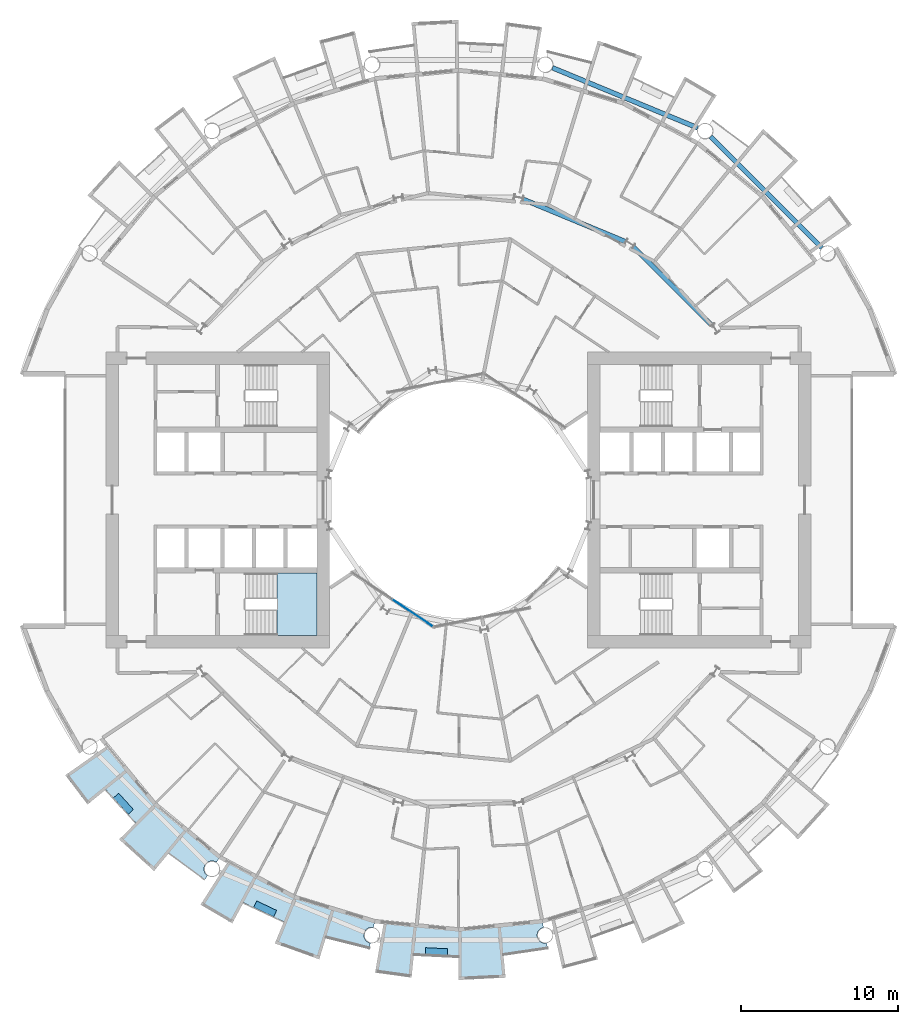
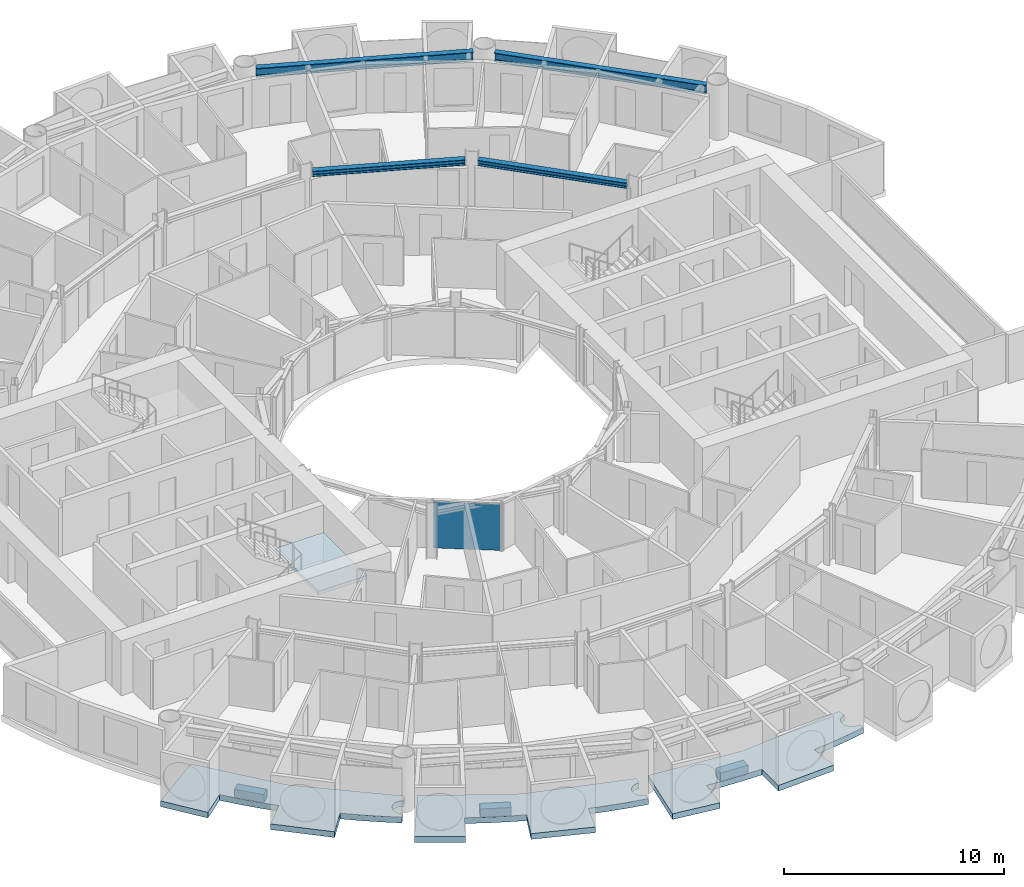
# One storey, part 9 of 26: 7 slabs, 4 beams, 1 plate, 2 elements without a shape of their own.
"""IFC4 building model written with IfcOpenShell, lengths in metres."""

from ifc_helpers import new_model, si_unit, direction, frame, origin, origin_2d, place, context, subcontext, project, spatial, polyline, rectangle, i_section, outline, extrude, material, layer, layer_set, material_profile, profile_set, type_object, element, aggregate, save


model = new_model("IFC4")

# Units and contexts
model_context = context("Model", 3, precision=1e-05, world=origin(), true_north=direction((0.0, 1.0)))
body_context = subcontext(model_context, "Body", "Model", "MODEL_VIEW")
ifc_project = project(units=[si_unit("LENGTHUNIT", "METRE"), si_unit("AREAUNIT", "SQUARE_METRE"), si_unit("VOLUMEUNIT", "CUBIC_METRE"), si_unit("PLANEANGLEUNIT", "RADIAN"), si_unit("MASSUNIT", "GRAM", prefix="KILO")], contexts=[model_context])

# Site, building, storey
site_placement = place(None, origin())
site = spatial("IfcSite", under=ifc_project, at=site_placement, CompositionType="ELEMENT")
building_placement = place(site_placement, origin())
building = spatial("IfcBuilding", under=site, at=building_placement, Name="Maasbend Ring Residences", CompositionType="ELEMENT")
storey_placement = place(building_placement, frame((0.0, 0.0, 25.85009765625)))
storey = spatial("IfcBuildingStorey", under=building, at=storey_placement, Name="L06", CompositionType="ELEMENT", Elevation=25.85009765625)

# Beams
ifc_material_1 = material(Name="Steel S355J2", Category="steel")
ifc_material_profile_1 = material_profile(ifc_material_1, i_section(OverallWidth=0.300048828125, OverallDepth=0.300048828125, WebThickness=0.010986328125, FlangeThickness=0.01904296875, FilletRadius=0.027099609375, at=origin_2d()), Name="HEB 300")
ifc_profile_set_1 = profile_set([ifc_material_profile_1], Name="Steel S355J2")
beam_type_1 = type_object("IfcBeamType", Name="Corridor ring beam HEB 300", PredefinedType="BEAM", material=ifc_profile_set_1)
beam_1_placement = place(storey_placement, frame((16.0732421875, 11.11279296875, 2.5498046875), z_axis=(-0.707106781187, 0.707106781187, 0.0), x_axis=(-0.707106781187, -0.707106781187, 0.0)))
element("IfcBeam", 1, at=beam_1_placement, inside=storey, type_object=beam_type_1, Name="Corridor ring beam", PredefinedType="BEAM", context=body_context, shape_type="SweptSolid", body=[
    extrude(i_section(OverallWidth=0.300048828125, OverallDepth=0.300048828125, WebThickness=0.010986328125, FlangeThickness=0.01904296875, FilletRadius=0.027099609375, at=origin_2d()), origin(), (0.0, 0.0, 1.0), 7.01513671875),
])
beam_2_placement = place(storey_placement, frame((10.59716796875, 16.417724609375, 2.5498046875), z_axis=(-0.923886196809, 0.38266734293, 0.0), x_axis=(-0.38266734293, -0.923886196809, 0.0)))
element("IfcBeam", 2, at=beam_2_placement, inside=storey, type_object=beam_type_1, Name="Corridor ring beam", PredefinedType="BEAM", context=body_context, shape_type="SweptSolid", body=[
    extrude(i_section(OverallWidth=0.300048828125, OverallDepth=0.300048828125, WebThickness=0.010986328125, FlangeThickness=0.01904296875, FilletRadius=0.027099609375, at=origin_2d()), origin(), (0.0, 0.0, 1.0), 7.015380859375),
])
ifc_material_2 = material(Name="Steel S355J2", Category="steel")
ifc_material_profile_2 = material_profile(ifc_material_2, i_section(OverallWidth=0.300048828125, OverallDepth=0.5, WebThickness=0.014404296875, FlangeThickness=0.028076171875, FilletRadius=0.027099609375, at=origin_2d()), Name="HEB 500")
ifc_profile_set_2 = profile_set([ifc_material_profile_2], Name="Steel S355J2")
beam_type_2 = type_object("IfcBeamType", Name="Spandrel ring beam HEB 500", PredefinedType="SPANDREL", material=ifc_profile_set_2)
beam_3_placement = place(storey_placement, frame((23.088134765625, 16.0263671875, 2.449951171875), z_axis=(-0.707106781187, 0.707106781187, 0.0), x_axis=(-0.707106781187, -0.707106781187, 0.0)))
element("IfcBeam", 3, at=beam_3_placement, inside=storey, type_object=beam_type_2, Name="Spandrel ring beam", PredefinedType="SPANDREL", context=body_context, shape_type="SweptSolid", body=[
    extrude(i_section(OverallWidth=0.300048828125, OverallDepth=0.5, WebThickness=0.014404296875, FlangeThickness=0.028076171875, FilletRadius=0.027099609375, at=origin_2d()), origin(), (0.0, 0.0, 1.0), 9.98681640625),
])
beam_4_placement = place(storey_placement, frame((15.19775390625, 23.641845703125, 2.449951171875), z_axis=(-0.923886337442, 0.382667003395, 0.0), x_axis=(-0.382667003395, -0.923886337442, 0.0)))
element("IfcBeam", 4, at=beam_4_placement, inside=storey, type_object=beam_type_2, Name="Spandrel ring beam", PredefinedType="SPANDREL", context=body_context, shape_type="SweptSolid", body=[
    extrude(i_section(OverallWidth=0.300048828125, OverallDepth=0.5, WebThickness=0.014404296875, FlangeThickness=0.028076171875, FilletRadius=0.027099609375, at=origin_2d()), origin(), (0.0, 0.0, 1.0), 9.9873046875),
])

# Stair, slab
ifc_material_3 = material(Name="Concrete C40/50", Category="concrete")
stair_type = type_object("IfcStairType", Name="CORE STAIR 18 RISERS", PredefinedType="HALF_TURN_STAIR", material=ifc_material_3)
stair_placement = place(storey_placement, origin())
stair = element("IfcStair", 5, at=stair_placement, inside=storey, type_object=stair_type, Name="L06 Exit stair ST-W1", PredefinedType="HALF_TURN_STAIR")
ifc_material_4 = material(Name="Concrete C40/50", Category="concrete")
ifc_layer_1 = layer(ifc_material_4, 0.199951171875)
ifc_layer_set_1 = layer_set([ifc_layer_1], Name="Concrete C40/50")
slab_type_1 = type_object("IfcSlabType", Name="CORE STAIR LANDING 200", PredefinedType="LANDING", material=ifc_layer_set_1)
slab_1_placement = place(storey_placement, frame((0.0, 0.0, 1.324951171875)))
slab_1 = element("IfcSlab", 6, at=slab_1_placement, type_object=slab_type_1, Name="ST-W1 landing 1", PredefinedType="LANDING", context=body_context, shape_type="SweptSolid", body=[
    extrude(outline(polyline([(-11.550048828125, -8.60009765625), (-9.0, -8.60009765625), (-9.0, -4.64990234375), (-11.550048828125, -4.64990234375), (-11.550048828125, -8.60009765625)])), origin(), (0.0, 0.0, 1.0), 0.199951171875),
])
aggregate(stair, [slab_1])

# Curtain wall, plate
ifc_material_5 = material(Name="Aluminium and clear glass", Category="aluminium")
ifc_layer_2 = layer(ifc_material_5, 0.179931640625)
ifc_layer_set_2 = layer_set([ifc_layer_2], Name="CW-W")
curtain_wall_type = type_object("IfcCurtainWallType", Name="CW-W", PredefinedType="NOTDEFINED", material=ifc_layer_set_2)
curtain_wall_placement = place(storey_placement, origin())
curtain_wall = element("IfcCurtainWall", 7, at=curtain_wall_placement, inside=storey, type_object=curtain_wall_type, Name="Well curtain wall S1", PredefinedType="NOTDEFINED")
ifc_material_6 = material(Name="Glass clear laminated", Category="glass")
ifc_layer_3 = layer(ifc_material_6, 0.031982421875)
ifc_layer_set_3 = layer_set([ifc_layer_3], Name="CWP-W")
plate_type = type_object("IfcPlateType", Name="CWP-W", PredefinedType="CURTAIN_PANEL", material=ifc_layer_set_3)
plate_placement = place(storey_placement, frame((-2.922119140625, -7.17578125, -0.000244140625), z_axis=(0.0, 0.0, 1.0), x_axis=(0.831469612303, -0.55557023302, 0.0)))
plate = element("IfcPlate", 8, at=plate_placement, type_object=plate_type, Name="Glass panel well face", PredefinedType="CURTAIN_PANEL", context=body_context, shape_type="SweptSolid", body=[
    extrude(rectangle(XDim=3.053955078125, YDim=0.031982421875, at=origin_2d()), origin(), (0.0, 0.0, 1.0), 2.580078125),
])
aggregate(curtain_wall, [plate])

# Slabs
ifc_material_7 = material(Name="Planting with climbing greenery")
ifc_layer_4 = layer(ifc_material_7, 0.449951171875)
ifc_layer_set_4 = layer_set([ifc_layer_4], Name="PLANTER-LG")
slab_type_2 = type_object("IfcSlabType", Name="PLANTER-LG", PredefinedType="USERDEFINED", material=ifc_layer_set_4)
slab_2_placement = place(storey_placement, frame((0.0, 0.0, -0.030029296875)))
element("IfcSlab", 9, at=slab_2_placement, inside=storey, type_object=slab_type_2, Name="Planter with climbing greenery 1", ObjectType="PLANTER", PredefinedType="USERDEFINED", context=body_context, shape_type="SweptSolid", body=[
    extrude(outline(polyline([(-21.931884765625, -18.93310546875), (-20.991943359375, -19.969970703125), (-20.657958984375, -19.66796875), (-21.597900390625, -18.631103515625), (-21.931884765625, -18.93310546875)])), origin(), (0.0, 0.0, 1.0), 0.449951171875),
])
slab_3_placement = place(storey_placement, frame((0.0, 0.0, -0.030029296875)))
element("IfcSlab", 10, at=slab_3_placement, inside=storey, type_object=slab_type_2, Name="Planter with climbing greenery 2", ObjectType="PLANTER", PredefinedType="USERDEFINED", context=body_context, shape_type="SweptSolid", body=[
    extrude(outline(polyline([(-13.01708984375, -25.885009765625), (-11.7509765625, -26.48291015625), (-11.55908203125, -26.076904296875), (-12.824951171875, -25.47802734375), (-13.01708984375, -25.885009765625)])), origin(), (0.0, 0.0, 1.0), 0.449951171875),
])
slab_4_placement = place(storey_placement, frame((0.0, 0.0, -0.030029296875)))
element("IfcSlab", 11, at=slab_4_placement, inside=storey, type_object=slab_type_2, Name="Planter with climbing greenery 3", ObjectType="PLANTER", PredefinedType="USERDEFINED", context=body_context, shape_type="SweptSolid", body=[
    extrude(outline(polyline([(-2.1201171875, -28.89599609375), (-0.721923828125, -28.965087890625), (-0.699951171875, -28.514892578125), (-2.097900390625, -28.446044921875), (-2.1201171875, -28.89599609375)])), origin(), (0.0, 0.0, 1.0), 0.449951171875),
])
ifc_material_8 = material(Name="Concrete C40/50", Category="concrete")
ifc_layer_5 = layer(ifc_material_8, 0.199951171875)
ifc_layer_set_5 = layer_set([ifc_layer_5], Name="Concrete C40/50")
slab_type_3 = type_object("IfcSlabType", Name="SL-LOGGIA", PredefinedType="FLOOR", material=ifc_layer_set_5)
slab_5_placement = place(storey_placement, frame((0.0, 0.0, -0.35009765625)))
element("IfcSlab", 12, at=slab_5_placement, inside=storey, type_object=slab_type_3, Name="Loggia floor 2", PredefinedType="FLOOR", context=body_context, shape_type="SweptSolid", body=[
    extrude(outline(polyline([(-12.806884765625, -23.9609375), (-10.447021484375, -25.221923828125), (-10.447021484375, -25.221923828125), (-10.447021484375, -25.221923828125), (-7.886962890625, -25.9990234375), (-5.325927734375, -26.77490234375), (-5.325927734375, -26.77490234375), (-5.325927734375, -26.77490234375), (-5.402099609375, -27.159912109375), (-5.4150390625, -27.157958984375), (-5.427001953125, -27.156005859375), (-5.43896484375, -27.154052734375), (-5.451904296875, -27.153076171875), (-5.464111328125, -27.15087890625), (-5.47705078125, -27.15087890625), (-5.489013671875, -27.14990234375), (-5.501953125, -27.14990234375), (-5.513916015625, -27.14990234375), (-5.52587890625, -27.15087890625), (-5.5390625, -27.15087890625), (-5.551025390625, -27.153076171875), (-5.56396484375, -27.154052734375), (-5.575927734375, -27.156005859375), (-5.587890625, -27.157958984375), (-5.60107421875, -27.159912109375), (-5.613037109375, -27.162109375), (-5.625, -27.1650390625), (-5.636962890625, -27.1689453125), (-5.64892578125, -27.172119140625), (-5.660888671875, -27.176025390625), (-5.673095703125, -27.179931640625), (-5.68408203125, -27.18408203125), (-5.696044921875, -27.18896484375), (-5.70703125, -27.194091796875), (-5.718994140625, -27.198974609375), (-5.72998046875, -27.2041015625), (-5.740966796875, -27.2099609375), (-5.751953125, -27.216064453125), (-5.762939453125, -27.221923828125), (-5.77294921875, -27.22900390625), (-5.783935546875, -27.236083984375), (-5.7939453125, -27.242919921875), (-5.803955078125, -27.25), (-5.81396484375, -27.258056640625), (-5.823974609375, -27.264892578125), (-5.8330078125, -27.27294921875), (-5.843017578125, -27.281982421875), (-5.85205078125, -27.2900390625), (-5.861083984375, -27.299072265625), (-5.868896484375, -27.30810546875), (-5.8779296875, -27.31689453125), (-5.885986328125, -27.325927734375), (-5.89404296875, -27.3359375), (-5.902099609375, -27.345947265625), (-5.909912109375, -27.35498046875), (-5.9169921875, -27.365966796875), (-5.924072265625, -27.3759765625), (-5.930908203125, -27.385986328125), (-5.93701171875, -27.39697265625), (-5.944091796875, -27.407958984375), (-5.949951171875, -27.4189453125), (-5.955078125, -27.429931640625), (-5.9609375, -27.44091796875), (-5.966064453125, -27.451904296875), (-5.970947265625, -27.464111328125), (-5.97509765625, -27.47509765625), (-5.97998046875, -27.487060546875), (-5.98388671875, -27.4990234375), (-5.988037109375, -27.510986328125), (-5.990966796875, -27.52294921875), (-5.993896484375, -27.534912109375), (-5.9970703125, -27.547119140625), (-6.0, -27.55908203125), (-6.001953125, -27.571044921875), (-6.00390625, -27.583984375), (-6.006103515625, -27.595947265625), (-6.007080078125, -27.60791015625), (-6.008056640625, -27.62109375), (-6.009033203125, -27.633056640625), (-6.009033203125, -27.64599609375), (-6.010009765625, -27.657958984375), (-6.009033203125, -27.6708984375), (-6.009033203125, -27.68310546875), (-6.008056640625, -27.695068359375), (-6.007080078125, -27.7080078125), (-6.006103515625, -27.719970703125), (-6.00390625, -27.73291015625), (-6.001953125, -27.7451171875), (-6.0, -27.757080078125), (-5.9970703125, -27.76904296875), (-5.993896484375, -27.781982421875), (-5.990966796875, -27.7939453125), (-5.988037109375, -27.805908203125), (-5.98388671875, -27.81689453125), (-5.97998046875, -27.8291015625), (-5.97509765625, -27.841064453125), (-5.970947265625, -27.85302734375), (-5.966064453125, -27.864013671875), (-5.9609375, -27.875), (-5.955078125, -27.886962890625), (-5.949951171875, -27.89794921875), (-5.944091796875, -27.907958984375), (-5.93701171875, -27.9189453125), (-5.930908203125, -27.929931640625), (-5.924072265625, -27.93994140625), (-5.9169921875, -27.950927734375), (-5.909912109375, -27.9609375), (-5.902099609375, -27.970947265625), (-5.89404296875, -27.97998046875), (-5.885986328125, -27.989990234375), (-5.8779296875, -27.9990234375), (-5.868896484375, -28.008056640625), (-5.861083984375, -28.01708984375), (-5.85205078125, -28.02587890625), (-5.843017578125, -28.034912109375), (-5.8330078125, -28.04296875), (-5.823974609375, -28.051025390625), (-5.81396484375, -28.05908203125), (-5.803955078125, -28.06591796875), (-5.7939453125, -28.072998046875), (-5.783935546875, -28.080078125), (-5.77294921875, -28.0869140625), (-5.762939453125, -28.093994140625), (-5.751953125, -28.10009765625), (-5.740966796875, -28.10595703125), (-5.72998046875, -28.112060546875), (-5.718994140625, -28.116943359375), (-5.70703125, -28.123046875), (-5.696044921875, -28.126953125), (-5.68408203125, -28.132080078125), (-5.673095703125, -28.135986328125), (-5.660888671875, -28.139892578125), (-5.64892578125, -28.14404296875), (-5.636962890625, -28.14794921875), (-5.625, -28.15087890625), (-5.613037109375, -28.154052734375), (-5.60107421875, -28.156005859375), (-5.657958984375, -28.443115234375), (-5.657958984375, -28.443115234375), (-5.657958984375, -28.443115234375), (-6.5849609375, -28.241943359375), (-6.5849609375, -28.241943359375), (-7.506103515625, -28.011962890625), (-7.506103515625, -28.011962890625), (-8.41796875, -27.7509765625), (-8.41796875, -27.7509765625), (-8.41796875, -27.7509765625), (-8.41796875, -27.7509765625), (-8.41796875, -27.7509765625), (-8.41796875, -27.7509765625), (-8.41796875, -27.7509765625), (-8.41796875, -27.7509765625), (-8.41796875, -27.7509765625), (-8.41796875, -27.7509765625), (-8.41796875, -27.751953125), (-8.41796875, -27.751953125), (-8.41796875, -27.751953125), (-8.41796875, -27.751953125), (-8.41796875, -27.751953125), (-8.41796875, -27.751953125), (-8.41796875, -27.751953125), (-8.85400390625, -29.18701171875), (-8.85400390625, -29.18701171875), (-8.85400390625, -29.18701171875), (-11.672119140625, -28.177978515625), (-11.672119140625, -28.177978515625), (-11.672119140625, -28.177978515625), (-11.097900390625, -26.79296875), (-11.097900390625, -26.79296875), (-11.097900390625, -26.79296875), (-11.097900390625, -26.79296875), (-11.097900390625, -26.79296875), (-11.097900390625, -26.79296875), (-11.097900390625, -26.79296875), (-11.097900390625, -26.79296875), (-11.097900390625, -26.79296875), (-11.097900390625, -26.79296875), (-11.097900390625, -26.7919921875), (-11.097900390625, -26.7919921875), (-11.097900390625, -26.7919921875), (-11.097900390625, -26.7919921875), (-11.097900390625, -26.7919921875), (-11.097900390625, -26.7919921875), (-11.097900390625, -26.7919921875), (-11.968994140625, -26.4150390625), (-11.968994140625, -26.4150390625), (-12.825927734375, -26.009033203125), (-12.825927734375, -26.009033203125), (-13.669921875, -25.575927734375), (-13.669921875, -25.575927734375), (-13.669921875, -25.575927734375), (-13.669921875, -25.575927734375), (-13.669921875, -25.575927734375), (-13.669921875, -25.575927734375), (-13.669921875, -25.575927734375), (-13.669921875, -25.575927734375), (-13.669921875, -25.575927734375), (-13.669921875, -25.575927734375), (-13.6708984375, -25.575927734375), (-13.6708984375, -25.575927734375), (-13.6708984375, -25.575927734375), (-13.6708984375, -25.575927734375), (-13.6708984375, -25.575927734375), (-13.6708984375, -25.575927734375), (-13.6708984375, -25.575927734375), (-14.3779296875, -26.89892578125), (-14.3779296875, -26.89892578125), (-14.3779296875, -26.89892578125), (-16.39404296875, -25.718994140625), (-16.39404296875, -25.718994140625), (-16.39404296875, -25.718994140625), (-14.64599609375, -22.97705078125), (-14.64599609375, -22.97705078125), (-14.64599609375, -22.97705078125), (-12.806884765625, -23.9609375)])), origin(), (0.0, 0.0, 1.0), 0.320068359375),
])
slab_6_placement = place(storey_placement, frame((0.0, 0.0, -0.35009765625)))
element("IfcSlab", 13, at=slab_6_placement, inside=storey, type_object=slab_type_3, Name="Loggia floor 3", PredefinedType="FLOOR", context=body_context, shape_type="SweptSolid", body=[
    extrude(outline(polyline([(-2.6630859375, -27.0380859375), (0.0, -27.300048828125), (0.0, -27.300048828125), (0.0, -27.300048828125), (2.6630859375, -27.0380859375), (5.325927734375, -26.77490234375), (5.325927734375, -26.77490234375), (5.325927734375, -26.77490234375), (5.402099609375, -27.159912109375), (5.402099609375, -27.159912109375), (5.389892578125, -27.162109375), (5.3779296875, -27.1650390625), (5.365966796875, -27.1689453125), (5.35400390625, -27.172119140625), (5.342041015625, -27.176025390625), (5.330078125, -27.179931640625), (5.319091796875, -27.18408203125), (5.306884765625, -27.18896484375), (5.2958984375, -27.194091796875), (5.283935546875, -27.198974609375), (5.27294921875, -27.2041015625), (5.261962890625, -27.2099609375), (5.2509765625, -27.216064453125), (5.239990234375, -27.221923828125), (5.22998046875, -27.22900390625), (5.218994140625, -27.236083984375), (5.208984375, -27.242919921875), (5.198974609375, -27.25), (5.18896484375, -27.258056640625), (5.178955078125, -27.264892578125), (5.169921875, -27.27294921875), (5.159912109375, -27.281982421875), (5.15087890625, -27.2900390625), (5.14208984375, -27.299072265625), (5.134033203125, -27.30810546875), (5.125, -27.31689453125), (5.116943359375, -27.325927734375), (5.10888671875, -27.3359375), (5.10107421875, -27.345947265625), (5.093017578125, -27.35498046875), (5.0859375, -27.365966796875), (5.0791015625, -27.3759765625), (5.072021484375, -27.385986328125), (5.06591796875, -27.39697265625), (5.05908203125, -27.407958984375), (5.052978515625, -27.4189453125), (5.048095703125, -27.429931640625), (5.0419921875, -27.44091796875), (5.037109375, -27.451904296875), (5.031982421875, -27.464111328125), (5.028076171875, -27.47509765625), (5.02294921875, -27.487060546875), (5.01904296875, -27.4990234375), (5.014892578125, -27.510986328125), (5.011962890625, -27.52294921875), (5.009033203125, -27.534912109375), (5.006103515625, -27.547119140625), (5.0029296875, -27.55908203125), (5.0009765625, -27.571044921875), (4.9990234375, -27.583984375), (4.9970703125, -27.595947265625), (4.99609375, -27.60791015625), (4.9951171875, -27.62109375), (4.993896484375, -27.633056640625), (4.993896484375, -27.64599609375), (4.993896484375, -27.657958984375), (4.993896484375, -27.6708984375), (4.993896484375, -27.68310546875), (4.9951171875, -27.695068359375), (4.99609375, -27.7080078125), (4.9970703125, -27.719970703125), (4.9990234375, -27.73291015625), (5.0009765625, -27.7451171875), (5.0029296875, -27.757080078125), (5.006103515625, -27.76904296875), (5.009033203125, -27.781982421875), (5.011962890625, -27.7939453125), (5.014892578125, -27.805908203125), (5.01904296875, -27.81689453125), (5.02294921875, -27.8291015625), (5.028076171875, -27.841064453125), (5.031982421875, -27.85302734375), (5.037109375, -27.864013671875), (5.0419921875, -27.875), (5.048095703125, -27.886962890625), (5.052978515625, -27.89794921875), (5.05908203125, -27.907958984375), (5.06591796875, -27.9189453125), (5.072021484375, -27.929931640625), (5.0791015625, -27.93994140625), (5.0859375, -27.950927734375), (5.093017578125, -27.9609375), (5.10107421875, -27.970947265625), (5.10888671875, -27.97998046875), (5.116943359375, -27.989990234375), (5.125, -27.9990234375), (5.134033203125, -28.008056640625), (5.14208984375, -28.01708984375), (5.15087890625, -28.02587890625), (5.159912109375, -28.034912109375), (5.169921875, -28.04296875), (5.178955078125, -28.051025390625), (5.18896484375, -28.05908203125), (5.198974609375, -28.06591796875), (5.208984375, -28.072998046875), (5.218994140625, -28.080078125), (5.22998046875, -28.0869140625), (5.239990234375, -28.093994140625), (5.2509765625, -28.10009765625), (5.261962890625, -28.10595703125), (5.27294921875, -28.112060546875), (5.283935546875, -28.116943359375), (5.2958984375, -28.123046875), (5.306884765625, -28.126953125), (5.319091796875, -28.132080078125), (5.330078125, -28.135986328125), (5.342041015625, -28.139892578125), (5.35400390625, -28.14404296875), (5.365966796875, -28.14794921875), (5.3779296875, -28.15087890625), (5.389892578125, -28.154052734375), (5.402099609375, -28.156005859375), (5.4150390625, -28.158935546875), (5.427001953125, -28.160888671875), (5.43896484375, -28.162109375), (5.451904296875, -28.1640625), (5.464111328125, -28.1650390625), (5.47705078125, -28.1650390625), (5.489013671875, -28.166015625), (5.501953125, -28.166015625), (5.513916015625, -28.166015625), (5.52587890625, -28.1650390625), (5.5390625, -28.1650390625), (5.551025390625, -28.1640625), (5.56396484375, -28.162109375), (5.575927734375, -28.160888671875), (5.587890625, -28.158935546875), (5.60107421875, -28.156005859375), (5.60107421875, -28.156005859375), (5.657958984375, -28.443115234375), (5.657958984375, -28.443115234375), (5.657958984375, -28.443115234375), (4.72412109375, -28.613037109375), (4.72412109375, -28.613037109375), (3.784912109375, -28.751953125), (3.784912109375, -28.751953125), (2.843017578125, -28.860107421875), (2.843017578125, -28.860107421875), (2.843017578125, -28.860107421875), (2.843017578125, -28.860107421875), (2.843017578125, -28.860107421875), (2.843017578125, -28.860107421875), (2.843017578125, -28.860107421875), (2.843017578125, -28.860107421875), (2.843017578125, -28.860107421875), (2.843017578125, -28.861083984375), (2.843017578125, -28.861083984375), (2.843017578125, -28.861083984375), (2.843017578125, -28.861083984375), (2.843017578125, -28.861083984375), (2.843017578125, -28.861083984375), (2.843017578125, -28.861083984375), (2.843017578125, -28.861083984375), (2.989990234375, -30.35302734375), (2.989990234375, -30.35302734375), (2.989990234375, -30.35302734375), (0.0, -30.5), (0.0, -30.5), (0.0, -30.5), (0.0, -29.0), (0.0, -29.0), (0.0, -29.0), (0.0, -29.0), (0.0, -29.0), (0.0, -29.0), (0.0, -29.0), (0.0, -29.0), (0.0, -29.0), (0.0, -29.0), (0.0, -29.0), (0.0, -29.0), (0.0, -29.0), (0.0, -29.0), (0.0, -29.0), (0.0, -29.0), (0.0, -29.0), (-0.948974609375, -28.98388671875), (-0.948974609375, -28.98388671875), (-1.89697265625, -28.93798828125), (-1.89697265625, -28.93798828125), (-2.842041015625, -28.860107421875), (-2.842041015625, -28.860107421875), (-2.842041015625, -28.860107421875), (-2.842041015625, -28.860107421875), (-2.842041015625, -28.860107421875), (-2.842041015625, -28.860107421875), (-2.842041015625, -28.860107421875), (-2.842041015625, -28.860107421875), (-2.842041015625, -28.861083984375), (-2.842041015625, -28.861083984375), (-2.842041015625, -28.861083984375), (-2.842041015625, -28.861083984375), (-2.842041015625, -28.861083984375), (-2.843017578125, -28.861083984375), (-2.843017578125, -28.861083984375), (-2.843017578125, -28.861083984375), (-2.843017578125, -28.861083984375), (-2.989990234375, -30.35302734375), (-2.989990234375, -30.35302734375), (-2.989990234375, -30.35302734375), (-5.303955078125, -30.034912109375), (-5.303955078125, -30.034912109375), (-5.303955078125, -30.034912109375), (-4.739013671875, -26.8330078125), (-4.739013671875, -26.8330078125), (-4.739013671875, -26.8330078125), (-2.6630859375, -27.0380859375)])), origin(), (0.0, 0.0, 1.0), 0.320068359375),
])
slab_7_placement = place(storey_placement, frame((0.0, 0.0, -0.35009765625)))
element("IfcSlab", 14, at=slab_7_placement, inside=storey, type_object=slab_type_3, Name="Loggia floor 5", PredefinedType="FLOOR", context=body_context, shape_type="SweptSolid", body=[
    extrude(outline(polyline([(-21.001953125, -17.236083984375), (-19.303955078125, -19.303955078125), (-19.303955078125, -19.303955078125), (-19.303955078125, -19.303955078125), (-17.236083984375, -21.001953125), (-15.1669921875, -22.698974609375), (-15.1669921875, -22.698974609375), (-15.1669921875, -22.698974609375), (-15.385009765625, -23.02490234375), (-15.385009765625, -23.02490234375), (-15.39501953125, -23.01806640625), (-15.406005859375, -23.011962890625), (-15.4169921875, -23.0048828125), (-15.427978515625, -22.9990234375), (-15.43896484375, -22.993896484375), (-15.449951171875, -22.988037109375), (-15.4609375, -22.98291015625), (-15.472900390625, -22.97802734375), (-15.48388671875, -22.972900390625), (-15.49609375, -22.968994140625), (-15.508056640625, -22.965087890625), (-15.52001953125, -22.9609375), (-15.531982421875, -22.9580078125), (-15.5439453125, -22.955078125), (-15.555908203125, -22.951904296875), (-15.568115234375, -22.948974609375), (-15.580078125, -22.947021484375), (-15.593017578125, -22.945068359375), (-15.60498046875, -22.943115234375), (-15.616943359375, -22.94189453125), (-15.6298828125, -22.94091796875), (-15.64208984375, -22.93994140625), (-15.655029296875, -22.93994140625), (-15.6669921875, -22.93896484375), (-15.679931640625, -22.93994140625), (-15.69189453125, -22.93994140625), (-15.7041015625, -22.94091796875), (-15.717041015625, -22.94189453125), (-15.72900390625, -22.943115234375), (-15.741943359375, -22.945068359375), (-15.75390625, -22.947021484375), (-15.76611328125, -22.948974609375), (-15.778076171875, -22.951904296875), (-15.791015625, -22.955078125), (-15.802978515625, -22.9580078125), (-15.81494140625, -22.9609375), (-15.825927734375, -22.965087890625), (-15.837890625, -22.968994140625), (-15.85009765625, -22.972900390625), (-15.862060546875, -22.97802734375), (-15.873046875, -22.98291015625), (-15.884033203125, -22.988037109375), (-15.89599609375, -22.993896484375), (-15.906982421875, -22.9990234375), (-15.9169921875, -23.0048828125), (-15.927978515625, -23.011962890625), (-15.93896484375, -23.01806640625), (-15.948974609375, -23.02490234375), (-15.9599609375, -23.031982421875), (-15.969970703125, -23.0390625), (-15.97998046875, -23.047119140625), (-15.989013671875, -23.054931640625), (-15.9990234375, -23.06298828125), (-16.008056640625, -23.071044921875), (-16.01708984375, -23.0791015625), (-16.02587890625, -23.087890625), (-16.034912109375, -23.096923828125), (-16.0439453125, -23.10595703125), (-16.052001953125, -23.115966796875), (-16.06005859375, -23.125), (-16.068115234375, -23.135009765625), (-16.074951171875, -23.14501953125), (-16.08203125, -23.155029296875), (-16.089111328125, -23.1650390625), (-16.095947265625, -23.176025390625), (-16.10302734375, -23.18603515625), (-16.10888671875, -23.197021484375), (-16.114990234375, -23.2080078125), (-16.12109375, -23.218994140625), (-16.1259765625, -23.22998046875), (-16.132080078125, -23.241943359375), (-16.135986328125, -23.2529296875), (-16.14111328125, -23.264892578125), (-16.14501953125, -23.27587890625), (-16.14892578125, -23.2880859375), (-16.153076171875, -23.300048828125), (-16.156982421875, -23.31201171875), (-16.159912109375, -23.323974609375), (-16.1630859375, -23.3359375), (-16.1650390625, -23.347900390625), (-16.16796875, -23.361083984375), (-16.169921875, -23.373046875), (-16.1708984375, -23.385009765625), (-16.173095703125, -23.39794921875), (-16.174072265625, -23.409912109375), (-16.174072265625, -23.422119140625), (-16.175048828125, -23.43505859375), (-16.175048828125, -23.447021484375), (-16.175048828125, -23.4599609375), (-16.174072265625, -23.471923828125), (-16.174072265625, -23.485107421875), (-16.173095703125, -23.4970703125), (-16.1708984375, -23.510009765625), (-16.169921875, -23.52197265625), (-16.16796875, -23.533935546875), (-16.1650390625, -23.547119140625), (-16.1630859375, -23.55908203125), (-16.159912109375, -23.571044921875), (-16.156982421875, -23.5830078125), (-16.153076171875, -23.594970703125), (-16.14892578125, -23.60693359375), (-16.14501953125, -23.618896484375), (-16.14111328125, -23.6298828125), (-16.135986328125, -23.64208984375), (-16.132080078125, -23.653076171875), (-16.1259765625, -23.6650390625), (-16.12109375, -23.676025390625), (-16.114990234375, -23.68701171875), (-16.10888671875, -23.697998046875), (-16.10302734375, -23.708984375), (-16.095947265625, -23.718994140625), (-16.089111328125, -23.72998046875), (-16.08203125, -23.739990234375), (-16.074951171875, -23.75), (-16.068115234375, -23.760009765625), (-16.06005859375, -23.77001953125), (-16.052001953125, -23.779052734375), (-16.0439453125, -23.7890625), (-16.034912109375, -23.798095703125), (-16.02587890625, -23.806884765625), (-16.01708984375, -23.81494140625), (-16.008056640625, -23.823974609375), (-15.9990234375, -23.83203125), (-15.989013671875, -23.840087890625), (-15.97998046875, -23.847900390625), (-15.969970703125, -23.85498046875), (-15.9599609375, -23.863037109375), (-15.948974609375, -23.8701171875), (-15.948974609375, -23.8701171875), (-16.112060546875, -24.113037109375), (-16.112060546875, -24.113037109375), (-16.112060546875, -24.113037109375), (-16.89208984375, -23.572998046875), (-16.89208984375, -23.572998046875), (-17.654052734375, -23.007080078125), (-17.654052734375, -23.007080078125), (-18.39697265625, -22.41796875), (-18.39697265625, -22.41796875), (-18.39697265625, -22.41796875), (-18.39697265625, -22.41796875), (-18.39697265625, -22.41796875), (-18.39697265625, -22.41796875), (-18.39697265625, -22.41796875), (-18.39697265625, -22.41796875), (-18.39697265625, -22.41796875), (-18.39697265625, -22.41796875), (-18.39697265625, -22.41796875), (-18.39794921875, -22.41796875), (-18.39794921875, -22.41796875), (-18.39794921875, -22.41796875), (-18.39794921875, -22.41796875), (-18.39794921875, -22.41796875), (-18.39794921875, -22.41796875), (-19.34912109375, -23.576904296875), (-19.34912109375, -23.576904296875), (-19.34912109375, -23.576904296875), (-21.56689453125, -21.56689453125), (-21.56689453125, -21.56689453125), (-21.56689453125, -21.56689453125), (-20.506103515625, -20.506103515625), (-20.506103515625, -20.506103515625), (-20.506103515625, -20.506103515625), (-20.506103515625, -20.506103515625), (-20.506103515625, -20.506103515625), (-20.506103515625, -20.506103515625), (-20.506103515625, -20.506103515625), (-20.506103515625, -20.506103515625), (-20.506103515625, -20.506103515625), (-20.506103515625, -20.506103515625), (-20.506103515625, -20.506103515625), (-20.506103515625, -20.506103515625), (-20.506103515625, -20.506103515625), (-20.506103515625, -20.506103515625), (-20.506103515625, -20.506103515625), (-20.506103515625, -20.506103515625), (-20.506103515625, -20.506103515625), (-21.166015625, -19.823974609375), (-21.166015625, -19.823974609375), (-21.802978515625, -19.12109375), (-21.802978515625, -19.12109375), (-22.4169921875, -18.39794921875), (-22.4169921875, -18.39794921875), (-22.4169921875, -18.39794921875), (-22.4169921875, -18.39794921875), (-22.4169921875, -18.39794921875), (-22.4169921875, -18.39794921875), (-22.4169921875, -18.39794921875), (-22.4169921875, -18.39794921875), (-22.4169921875, -18.39794921875), (-22.4169921875, -18.39794921875), (-22.4169921875, -18.39794921875), (-22.4169921875, -18.39794921875), (-22.41796875, -18.39794921875), (-22.41796875, -18.39794921875), (-22.41796875, -18.39794921875), (-22.41796875, -18.39794921875), (-22.41796875, -18.39794921875), (-23.576904296875, -19.34912109375), (-23.576904296875, -19.34912109375), (-23.576904296875, -19.34912109375), (-24.989013671875, -17.488037109375), (-24.989013671875, -17.488037109375), (-24.989013671875, -17.488037109375), (-22.324951171875, -15.623046875), (-22.324951171875, -15.623046875), (-22.324951171875, -15.623046875), (-21.001953125, -17.236083984375)])), origin(), (0.0, 0.0, 1.0), 0.320068359375),
])

save(model, "model.ifc")
